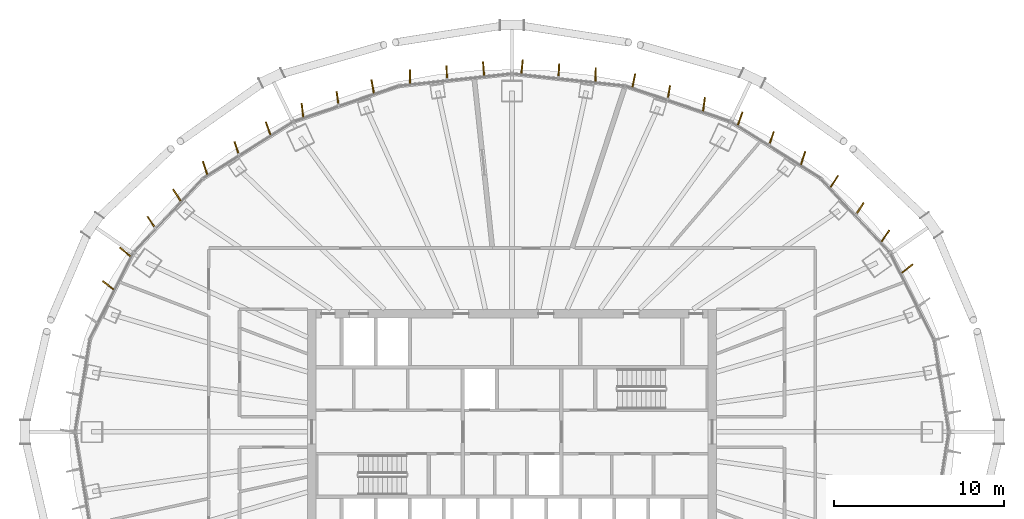
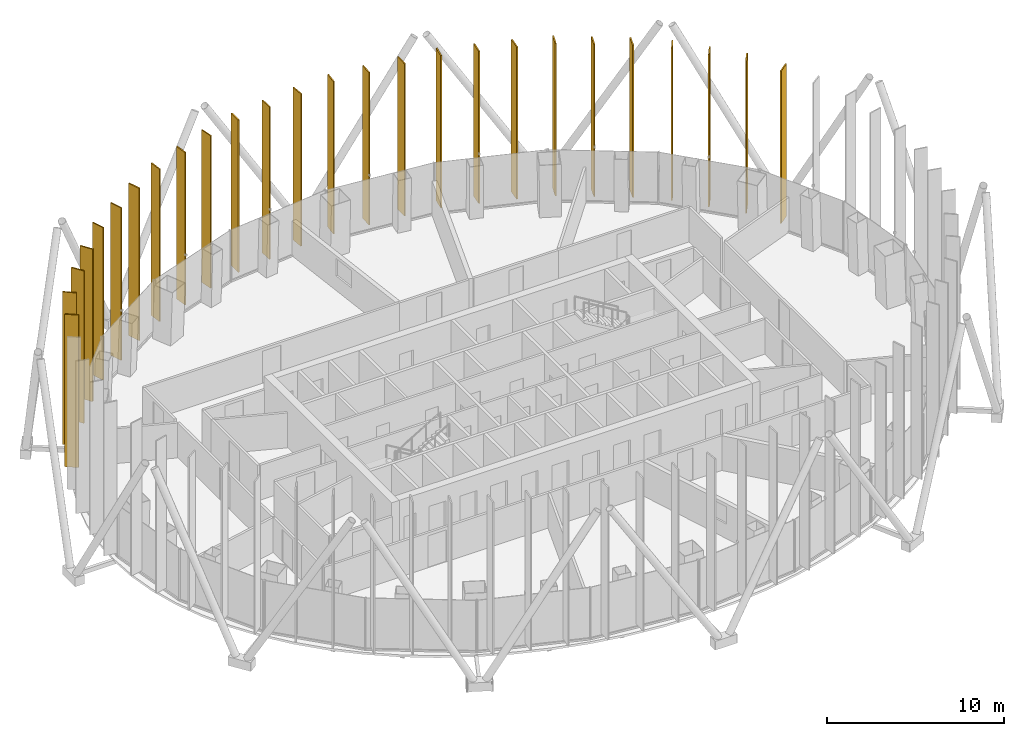
# One storey, part 20 of 20: 26 shading devices.
"""IFC4 building model written with IfcOpenShell, lengths in metres."""

from ifc_helpers import new_model, si_unit, direction, frame, origin, origin_2d, place, context, subcontext, project, spatial, rectangle, extrude, material, layer, layer_set, type_object, element, save


model = new_model("IFC4")

# Units and contexts
model_context = context("Model", 3, precision=1e-05, world=origin(), true_north=direction((0.0, 1.0)))
body_context = subcontext(model_context, "Body", "Model", "MODEL_VIEW")
ifc_project = project(units=[si_unit("LENGTHUNIT", "METRE"), si_unit("AREAUNIT", "SQUARE_METRE"), si_unit("VOLUMEUNIT", "CUBIC_METRE"), si_unit("PLANEANGLEUNIT", "RADIAN"), si_unit("MASSUNIT", "GRAM", prefix="KILO")], contexts=[model_context])

# Site, building, storey
site_placement = place(None, origin())
site = spatial("IfcSite", under=ifc_project, at=site_placement, CompositionType="ELEMENT")
building_placement = place(site_placement, origin())
building = spatial("IfcBuilding", under=site, at=building_placement, Name="Siaravel Broadcast Tower", CompositionType="ELEMENT")
storey_placement = place(building_placement, frame((0.0, 0.0, 108.199951171875)))
storey = spatial("IfcBuildingStorey", under=building, at=storey_placement, Name="L25", CompositionType="ELEMENT", Elevation=108.199951171875)

# Shading devices
ifc_material = material(Name="Bronze anodised aluminium", Category="aluminium")
ifc_layer = layer(ifc_material, 0.080078125)
ifc_layer_set = layer_set([ifc_layer], Name="Bronze anodised aluminium")
shading_device_type = type_object("IfcShadingDeviceType", Name="Bronze fin zone 2", PredefinedType="USERDEFINED", material=ifc_layer_set)
for number, where, z_axis, x_axis, name in (
    (1, (23.219482421875, 9.595458984375, 0.300048828125), (0.0, 0.0, 1.0), (0.788047286, 0.615614713, 0.0), "Bronze fin L25-05"),
    (2, (21.933349609375, 11.5166015625, 0.300048828125), (0.0, 0.0, 1.0), (0.562996788, 0.826459084, 0.0), "Bronze fin L25-06"),
    (3, (20.43212890625, 13.1171875, 0.300048828125), (0.0, 0.0, 1.0), (0.549473495, 0.835511148, 0.0), "Bronze fin L25-07"),
    (4, (18.933837890625, 14.715576171875, 0.300048828125), (0.0, 0.0, 1.0), (0.543165657, 0.839625553, 0.0), "Bronze fin L25-08"),
    (5, (17.094970703125, 16.0869140625, 0.300048828125), (0.0, 0.0, 1.0), (0.313187012, 0.949691474, 0.0), "Bronze fin L25-09"),
    (6, (15.24609375, 17.25, 0.300048828125), (0.0, 0.0, 1.0), (0.322092207, 0.946708302, 0.0), "Bronze fin L25-10"),
    (7, (13.400146484375, 18.412109375, 0.300048828125), (0.0, 0.0, 1.0), (0.338258369, 0.94105328, 0.0), "Bronze fin L25-11"),
    (8, (11.274658203125, 19.241943359375, 0.300048828125), (0.0, 0.0, 1.0), (0.133929109, 0.990990915, 0.0), "Bronze fin L25-12"),
    (9, (9.21435546875, 19.943359375, 0.300048828125), (0.0, 0.0, 1.0), (0.162888585, 0.986644469, 0.0), "Bronze fin L25-13"),
    (10, (7.156005859375, 20.643798828125, 0.300048828125), (0.0, 0.0, 1.0), (0.196505771, 0.980502668, 0.0), "Bronze fin L25-14"),
    (11, (4.909912109375, 20.983154296875, 0.300048828125), (0.0, 0.0, 1.0), (0.015356548, 0.999882081, 0.0), "Bronze fin L25-15"),
    (12, (2.750732421875, 21.21728515625, 0.300048828125), (0.0, 0.0, 1.0), (0.055490406, 0.99845922, 0.0), "Bronze fin L25-16"),
    (13, (0.592041015625, 21.45068359375, 0.300048828125), (0.0, 0.0, 1.0), (0.096893288, 0.995294776, 0.0), "Bronze fin L25-17"),
    (14, (-1.67138671875, 21.333984375, 0.300048828125), (0.0, 0.0, 1.0), (-0.076153456, 0.997096109, 0.0), "Bronze fin L25-18"),
    (15, (-3.830078125, 21.100341796875, 0.300048828125), (0.0, 0.0, 1.0), (-0.035145437, 0.999382208, 0.0), "Bronze fin L25-19"),
    (16, (-5.989990234375, 20.865966796875, 0.300048828125), (0.0, 0.0, 1.0), (0.003658202, 0.999993309, 0.0), "Bronze fin L25-20"),
    (17, (-8.18505859375, 20.293701171875, 0.300048828125), (0.0, 0.0, 1.0), (-0.179219479, 0.983809117, 0.0), "Bronze fin L25-21"),
    (18, (-10.244384765625, 19.5927734375, 0.300048828125), (0.0, 0.0, 1.0), (-0.147728281, 0.989027985, 0.0), "Bronze fin L25-22"),
    (19, (-12.305908203125, 18.89111328125, 0.300048828125), (0.0, 0.0, 1.0), (-0.121645871, 0.992573565, 0.0), "Bronze fin L25-23"),
    (20, (-14.32275390625, 17.831298828125, 0.300048828125), (0.0, 0.0, 1.0), (-0.329324821, 0.944216692, 0.0), "Bronze fin L25-24"),
    (21, (-16.170166015625, 16.668701171875, 0.300048828125), (0.0, 0.0, 1.0), (-0.316687223, 0.948530022, 0.0), "Bronze fin L25-25"),
    (22, (-18.0205078125, 15.505126953125, 0.300048828125), (0.0, 0.0, 1.0), (-0.311616909, 0.95020782, 0.0), "Bronze fin L25-26"),
    (23, (-19.6826171875, 13.91650390625, 0.300048828125), (0.0, 0.0, 1.0), (-0.545380946, 0.838188298, 0.0), "Bronze fin L25-27"),
    (24, (-21.182373046875, 12.317138671875, 0.300048828125), (0.0, 0.0, 1.0), (-0.555385918, 0.831592738, 0.0), "Bronze fin L25-28"),
    (25, (-22.722412109375, 10.575927734375, 0.300048828125), (0.0, 0.0, 1.0), (-0.779482303, 0.626424248, 0.0), "Bronze fin L25-29"),
    (26, (-23.716796875, 8.6142578125, 0.300048828125), (0.0, 0.0, 1.0), (-0.797720772, 0.603027006, 0.0), "Bronze fin L25-30"),
):
    element("IfcShadingDevice", number, at=place(storey_placement, frame(where, z_axis=z_axis, x_axis=x_axis)), inside=storey, type_object=shading_device_type, Name=name, ObjectType="FIN", PredefinedType="USERDEFINED", context=body_context, shape_type="SweptSolid", body=[
        extrude(rectangle(XDim=0.800048828125, YDim=0.080078125, at=origin_2d()), origin(), (0.0, 0.0, 1.0), 10.5),
    ])

save(model, "model.ifc")
